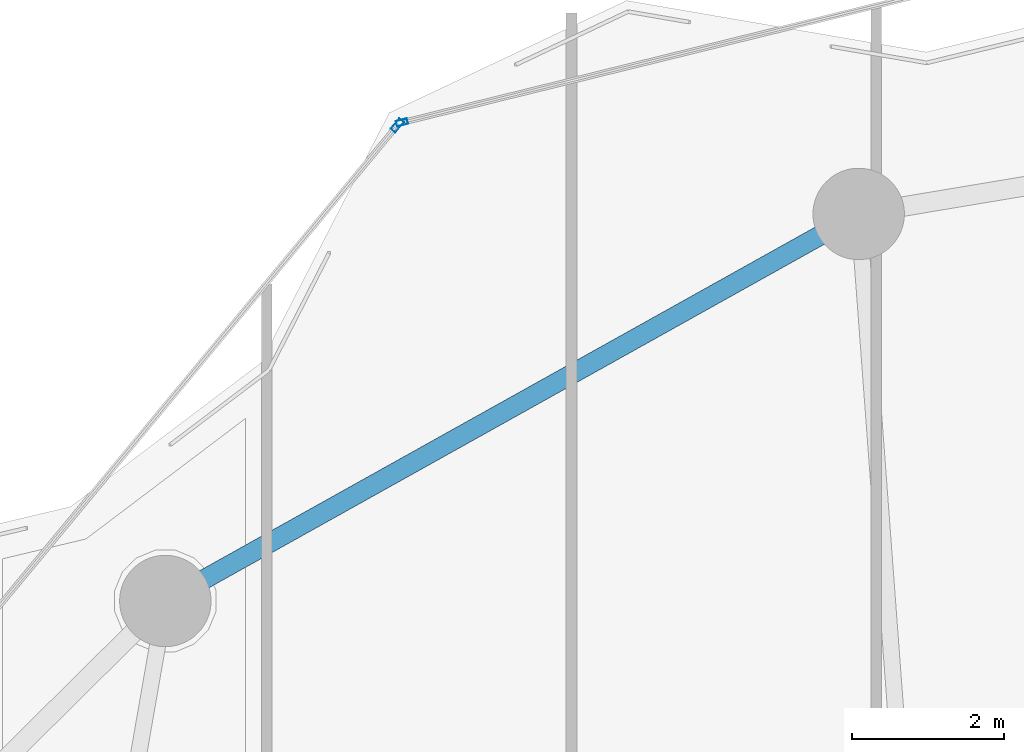
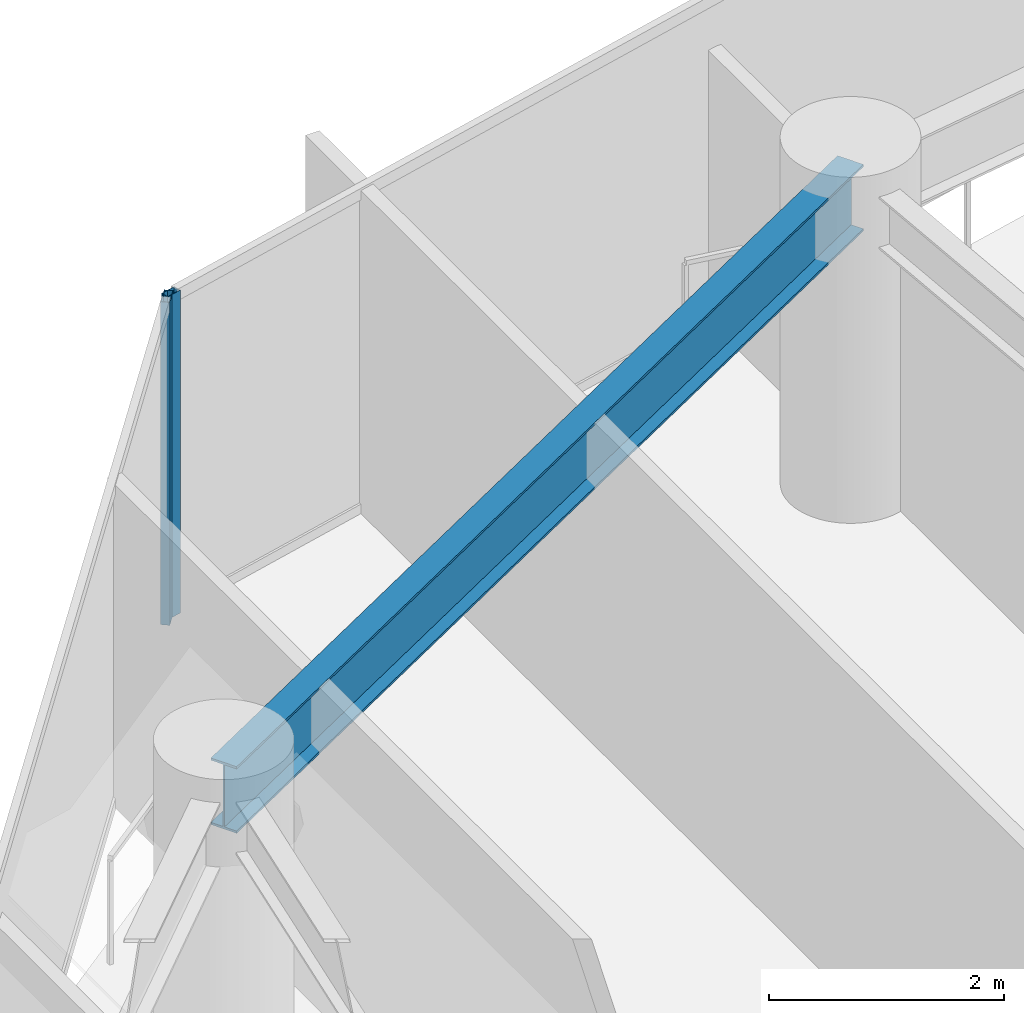
# One storey, part 17 of 28: 2 members, 1 beam, 2 elements without a shape of their own.
"""IFC4 building model written with IfcOpenShell, lengths in metres."""

from ifc_helpers import new_model, si_unit, direction, frame, origin, origin_2d, place, context, subcontext, project, spatial, hollow_rectangle, i_section, extrude, material, layer, layer_set, material_profile, profile_set, type_object, element, aggregate, save


model = new_model("IFC4")

# Units and contexts
model_context = context("Model", 3, precision=1e-05, world=origin(), true_north=direction((0.0, 1.0)))
body_context = subcontext(model_context, "Body", "Model", "MODEL_VIEW")
ifc_project = project(units=[si_unit("LENGTHUNIT", "METRE"), si_unit("AREAUNIT", "SQUARE_METRE"), si_unit("VOLUMEUNIT", "CUBIC_METRE"), si_unit("PLANEANGLEUNIT", "RADIAN"), si_unit("MASSUNIT", "GRAM", prefix="KILO")], contexts=[model_context])

# Site, building, storey
site_placement = place(None, origin())
site = spatial("IfcSite", under=ifc_project, at=site_placement, CompositionType="ELEMENT")
building_placement = place(site_placement, origin())
building = spatial("IfcBuilding", under=site, at=building_placement, Name="Kazevale Care Tower and Concert Hall", CompositionType="ELEMENT")
storey_placement = place(building_placement, frame((0.0, 0.0, 138.60009765625)))
storey = spatial("IfcBuildingStorey", under=building, at=storey_placement, Name="L36", CompositionType="ELEMENT", Elevation=138.60009765625)

# Curtain wall, member
ifc_material_1 = material(Name="Aluminium 6063-T6 and Low-E Glass", Category="aluminium")
ifc_layer_1 = layer(ifc_material_1, 0.179931640625)
ifc_layer_set_1 = layer_set([ifc_layer_1], Name="Aluminium 6063-T6 and Low-E Glass")
curtain_wall_type_1 = type_object("IfcCurtainWallType", Name="Convex Checkerboard Finned Curtain Wall CW-2", PredefinedType="NOTDEFINED", material=ifc_layer_set_1)
curtain_wall_1_placement = place(storey_placement, origin())
curtain_wall_1 = element("IfcCurtainWall", 1, at=curtain_wall_1_placement, inside=storey, type_object=curtain_wall_type_1, Name="cw:L36:f14", PredefinedType="NOTDEFINED")
ifc_material_2 = material(Name="Aluminium 6063-T6", Category="aluminium")
ifc_material_profile_1 = material_profile(ifc_material_2, hollow_rectangle(XDim=0.080078125, YDim=0.179931640625, WallThickness=0.0048828125, at=origin_2d()), Name="ALU80x180x5")
ifc_profile_set_1 = profile_set([ifc_material_profile_1], Name="Aluminium 6063-T6")
member_type_1 = type_object("IfcMemberType", Name="CW-2 Mullion ALU80x180x5", PredefinedType="MULLION", material=ifc_profile_set_1)
member_1_placement = place(storey_placement, frame((28.214599609375, 60.8212890625, 0.0), z_axis=(0.0, 0.0, 1.0), x_axis=(-0.770049579196, 0.637984048061, 0.0)))
member_1 = element("IfcMember", 2, at=member_1_placement, type_object=member_type_1, Name="CW-2 mullion 2", PredefinedType="MULLION", context=body_context, shape_type="SweptSolid", body=[
    extrude(hollow_rectangle(XDim=0.080078125, YDim=0.179931640625, WallThickness=0.0048828125, at=origin_2d()), origin(), (0.0, 0.0, 1.0), 3.35986328125),
])
aggregate(curtain_wall_1, [member_1])

ifc_layer_2 = layer(ifc_material_1, 0.179931640625)
ifc_layer_set_2 = layer_set([ifc_layer_2], Name="Aluminium 6063-T6 and Low-E Glass")
curtain_wall_type_2 = type_object("IfcCurtainWallType", Name="Convex Recessed Sunroom Curtain Wall CW-3", PredefinedType="NOTDEFINED", material=ifc_layer_set_2)
curtain_wall_2_placement = place(storey_placement, origin())
curtain_wall_2 = element("IfcCurtainWall", 3, at=curtain_wall_2_placement, inside=storey, type_object=curtain_wall_type_2, Name="cw:L36:f15", PredefinedType="NOTDEFINED")
ifc_material_profile_2 = material_profile(ifc_material_2, hollow_rectangle(XDim=0.074951171875, YDim=0.14990234375, WallThickness=0.00390625, at=origin_2d()), Name="ALU75x150x4")
ifc_profile_set_2 = profile_set([ifc_material_profile_2], Name="Aluminium 6063-T6")
member_type_2 = type_object("IfcMemberType", Name="CW-3 Mullion ALU75x150x4", PredefinedType="MULLION", material=ifc_profile_set_2)
member_2_placement = place(storey_placement, frame((28.2763671875, 60.861083984375, 0.0), z_axis=(0.0, 0.0, 1.0), x_axis=(-0.239088999495, 0.970997657217, 0.0)))
member_2 = element("IfcMember", 4, at=member_2_placement, type_object=member_type_2, Name="CW-3 mullion 1", PredefinedType="MULLION", context=body_context, shape_type="SweptSolid", body=[
    extrude(hollow_rectangle(XDim=0.074951171875, YDim=0.14990234375, WallThickness=0.00390625, at=origin_2d()), origin(), (0.0, 0.0, 1.0), 3.35986328125),
])
aggregate(curtain_wall_2, [member_2])

# Beam
ifc_material_3 = material(Name="Steel ASTM A572 Gr 50", Category="steel")
ifc_material_profile_3 = material_profile(ifc_material_3, i_section(OverallWidth=0.256103515625, OverallDepth=0.693115234375, WebThickness=0.014404296875, FlangeThickness=0.023681640625, at=origin_2d()), Name="W690x170")
ifc_profile_set_3 = profile_set([ifc_material_profile_3], Name="Steel ASTM A572 Gr 50")
beam_type = type_object("IfcBeamType", Name="Waist Ring Beam W690x170", PredefinedType="BEAM", material=ifc_profile_set_3)
beam_placement = place(storey_placement, frame((34.27001953125, 59.659912109375, 3.013427734375), z_axis=(-0.873168720251, -0.487418081297, 0.0), x_axis=(0.487418081297, -0.873168720251, 0.0)))
element("IfcBeam", 5, at=beam_placement, inside=storey, type_object=beam_type, Name="beam:L36:ring:06", PredefinedType="BEAM", context=body_context, shape_type="SweptSolid", body=[
    extrude(i_section(OverallWidth=0.256103515625, OverallDepth=0.693115234375, WebThickness=0.014404296875, FlangeThickness=0.023681640625, at=origin_2d()), origin(), (0.0, 0.0, 1.0), 10.421875),
])

save(model, "model.ifc")
